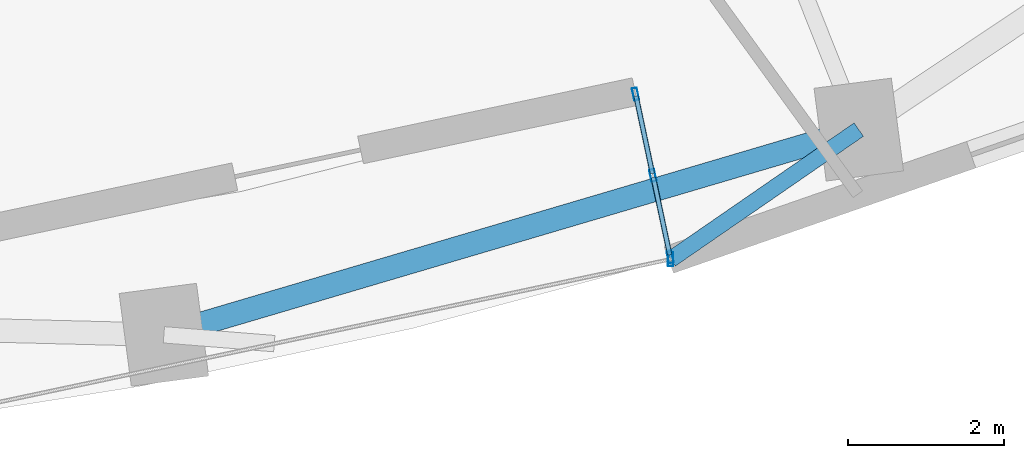
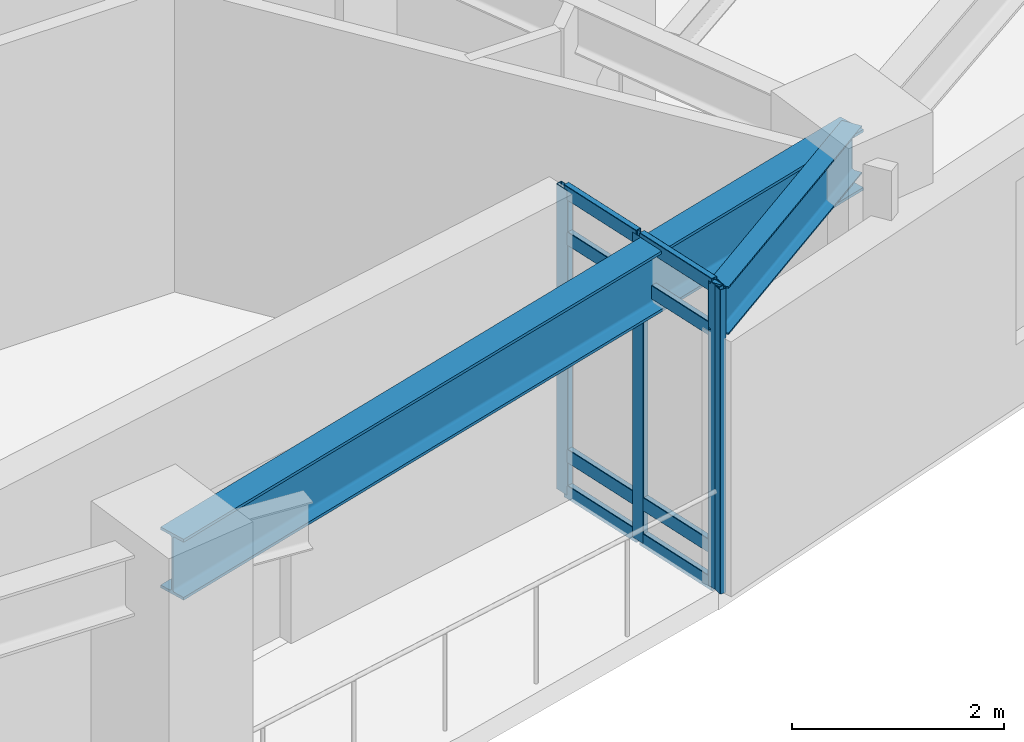
# One storey, part 3 of 12: 12 members, 2 beams, 1 element without a shape of its own.
"""IFC4 building model written with IfcOpenShell, lengths in metres."""

from ifc_helpers import new_model, si_unit, direction, frame, origin, origin_2d, place, context, subcontext, project, spatial, hollow_rectangle, i_section, extrude, material, layer, layer_set, material_profile, profile_set, type_object, element, aggregate, save


model = new_model("IFC4")

# Units and contexts
model_context = context("Model", 3, precision=1e-05, world=origin(), true_north=direction((0.0, 1.0)))
body_context = subcontext(model_context, "Body", "Model", "MODEL_VIEW")
ifc_project = project(units=[si_unit("LENGTHUNIT", "METRE"), si_unit("AREAUNIT", "SQUARE_METRE"), si_unit("VOLUMEUNIT", "CUBIC_METRE"), si_unit("PLANEANGLEUNIT", "RADIAN"), si_unit("MASSUNIT", "GRAM", prefix="KILO")], contexts=[model_context])

# Site, building, storey
site_placement = place(None, origin())
site = spatial("IfcSite", under=ifc_project, at=site_placement, CompositionType="ELEMENT")
building_placement = place(site_placement, origin())
building = spatial("IfcBuilding", under=site, at=building_placement, Name="Ndelora Gate Hotel", CompositionType="ELEMENT")
storey_placement = place(building_placement, frame((0.0, 0.0, 71.75)))
storey = spatial("IfcBuildingStorey", under=building, at=storey_placement, Name="L17", CompositionType="ELEMENT", Elevation=71.75)

# Beams
ifc_material_1 = material(Name="Steel S355", Category="steel")
ifc_material_profile_1 = material_profile(ifc_material_1, i_section(OverallWidth=0.2099609375, OverallDepth=0.550048828125, WebThickness=0.010986328125, FlangeThickness=0.01708984375, FilletRadius=0.02392578125, at=origin_2d()), Name="IPE 550")
ifc_profile_set_1 = profile_set([ifc_material_profile_1], Name="Steel S355")
beam_type_1 = type_object("IfcBeamType", Name="BM-RAD-550", PredefinedType="BEAM", material=ifc_profile_set_1)
beam_1_placement = place(storey_placement, frame((11.179443359375, -14.5693359375, 3.22509765625), z_axis=(-0.823102697332, -0.567892551144, 0.0), x_axis=(0.567892551144, -0.823102697332, 0.0)))
element("IfcBeam", 1, at=beam_1_placement, inside=storey, type_object=beam_type_1, Name="L17 Sky-Garden Loggia Column Bracket 3", PredefinedType="BEAM", context=body_context, shape_type="SweptSolid", body=[
    extrude(i_section(OverallWidth=0.2099609375, OverallDepth=0.550048828125, WebThickness=0.010986328125, FlangeThickness=0.01708984375, FilletRadius=0.02392578125, at=origin_2d()), origin(), (0.0, 0.0, 1.0), 2.93115234375),
])
ifc_material_profile_2 = material_profile(ifc_material_1, i_section(OverallWidth=0.300048828125, OverallDepth=0.699951171875, WebThickness=0.01708984375, FlangeThickness=0.031982421875, FilletRadius=0.027099609375, at=origin_2d()), Name="HEB 700")
ifc_profile_set_2 = profile_set([ifc_material_profile_2], Name="Steel S355")
beam_type_2 = type_object("IfcBeamType", Name="BM-RING-700", PredefinedType="SPANDREL", material=ifc_profile_set_2)
beam_2_placement = place(storey_placement, frame((2.2646484375, -17.20166015625, 3.14990234375), z_axis=(0.959064248316, 0.283188572514, 0.0), x_axis=(-0.283188572514, 0.959064248316, 0.0)))
element("IfcBeam", 2, at=beam_2_placement, inside=storey, type_object=beam_type_2, Name="L17 Perimeter Spandrel Girder 7", PredefinedType="SPANDREL", context=body_context, shape_type="SweptSolid", body=[
    extrude(i_section(OverallWidth=0.300048828125, OverallDepth=0.699951171875, WebThickness=0.01708984375, FlangeThickness=0.031982421875, FilletRadius=0.027099609375, at=origin_2d()), origin(), (0.0, 0.0, 1.0), 9.29541015625),
])

# Curtain wall, members
ifc_material_2 = material(Name="Bronze Anodised Unitised Aluminium and Low-E Glass", Category="aluminium")
ifc_layer = layer(ifc_material_2, 0.199951171875)
ifc_layer_set = layer_set([ifc_layer], Name="Bronze Anodised Unitised Aluminium and Low-E Glass")
curtain_wall_type = type_object("IfcCurtainWallType", Name="CW-SYS-3", PredefinedType="NOTDEFINED", material=ifc_layer_set)
curtain_wall_placement = place(storey_placement, origin())
curtain_wall = element("IfcCurtainWall", 3, at=curtain_wall_placement, inside=storey, type_object=curtain_wall_type, Name="L17 Sky-Garden Loggia Side Curtain Wall CW3-2", PredefinedType="NOTDEFINED")
ifc_material_3 = material(Name="Bronze Anodised Aluminium 6063-T6", Category="aluminium")
ifc_material_profile_3 = material_profile(ifc_material_3, hollow_rectangle(XDim=0.06494140625, YDim=0.159912109375, WallThickness=0.00390625, InnerFilletRadius=0.00390625, OuterFilletRadius=0.008056640625, at=origin_2d()), Name="ALU 160x65x4")
ifc_profile_set_3 = profile_set([ifc_material_profile_3], Name="Bronze Anodised Aluminium 6063-T6")
member_type_1 = type_object("IfcMemberType", Name="MB-CW-MUL150", PredefinedType="MULLION", material=ifc_profile_set_3)
member_1_placement = place(storey_placement, frame((8.760009765625, -16.201904296875, -0.00390625), z_axis=(0.0, 0.0, 1.0), x_axis=(-0.978147643724, -0.207911488567, 0.0)))
member_1 = element("IfcMember", 4, at=member_1_placement, type_object=member_type_1, Name="CW3 mullion 1", PredefinedType="MULLION", context=body_context, shape_type="SweptSolid", body=[
    extrude(hollow_rectangle(XDim=0.06494140625, YDim=0.159912109375, WallThickness=0.00390625, InnerFilletRadius=0.00390625, OuterFilletRadius=0.008056640625, at=origin_2d()), origin(), (0.0, 0.0, 1.0), 3.5078125),
])
member_2_placement = place(storey_placement, frame((8.5380859375, -15.157958984375, -0.00390625), z_axis=(0.0, 0.0, 1.0), x_axis=(-0.978147643724, -0.207911488567, 0.0)))
member_2 = element("IfcMember", 5, at=member_2_placement, type_object=member_type_1, Name="CW3 mullion 2", PredefinedType="MULLION", context=body_context, shape_type="SweptSolid", body=[
    extrude(hollow_rectangle(XDim=0.06494140625, YDim=0.159912109375, WallThickness=0.00390625, InnerFilletRadius=0.00390625, OuterFilletRadius=0.008056640625, at=origin_2d()), origin(), (0.0, 0.0, 1.0), 3.5078125),
])
member_3_placement = place(storey_placement, frame((8.316162109375, -14.11376953125, -0.00390625), z_axis=(0.0, 0.0, 1.0), x_axis=(-0.978147643724, -0.207911488567, 0.0)))
member_3 = element("IfcMember", 6, at=member_3_placement, type_object=member_type_1, Name="CW3 mullion 3", PredefinedType="MULLION", context=body_context, shape_type="SweptSolid", body=[
    extrude(hollow_rectangle(XDim=0.06494140625, YDim=0.159912109375, WallThickness=0.00390625, InnerFilletRadius=0.00390625, OuterFilletRadius=0.008056640625, at=origin_2d()), origin(), (0.0, 0.0, 1.0), 3.5078125),
])
ifc_material_profile_4 = material_profile(ifc_material_3, hollow_rectangle(XDim=0.070068359375, YDim=0.179931640625, WallThickness=0.0048828125, InnerFilletRadius=0.0048828125, OuterFilletRadius=0.010009765625, at=origin_2d()), Name="ALU 180x70x5")
ifc_profile_set_4 = profile_set([ifc_material_profile_4], Name="Bronze Anodised Aluminium 6063-T6")
member_type_2 = type_object("IfcMemberType", Name="MB-CW-MUL180", PredefinedType="MULLION", material=ifc_profile_set_4)
member_4_placement = place(storey_placement, frame((8.766845703125, -16.23388671875, 0.0), z_axis=(0.0, 0.0, 1.0), x_axis=(1.0, 0.0, 0.0)))
member_4 = element("IfcMember", 7, at=member_4_placement, type_object=member_type_2, Name="L17 Sky-Garden Loggia Corner Mullion Post 2", PredefinedType="MULLION", context=body_context, shape_type="SweptSolid", body=[
    extrude(hollow_rectangle(XDim=0.070068359375, YDim=0.179931640625, WallThickness=0.0048828125, InnerFilletRadius=0.0048828125, OuterFilletRadius=0.010009765625, at=origin_2d()), origin(), (0.0, 0.0, 1.0), 3.5),
])
ifc_material_profile_5 = material_profile(ifc_material_3, hollow_rectangle(XDim=0.06494140625, YDim=0.159912109375, WallThickness=0.00390625, InnerFilletRadius=0.00390625, OuterFilletRadius=0.008056640625, at=origin_2d()), Name="ALU 160x65x4")
ifc_profile_set_5 = profile_set([ifc_material_profile_5], Name="Bronze Anodised Aluminium 6063-T6")
member_type_3 = type_object("IfcMemberType", Name="MB-CW-TRN150", PredefinedType="USERDEFINED", material=ifc_profile_set_5)
member_5_placement = place(storey_placement, frame((8.754638671875, -16.176025390625, 0.032470703125), z_axis=(-0.207950868925, 0.97813927235, 0.0), x_axis=(-0.97813927235, -0.207950868925, 0.0)))
member_5 = element("IfcMember", 8, at=member_5_placement, type_object=member_type_3, Name="CW3 transom 1.1", ObjectType="TRANSOM", PredefinedType="USERDEFINED", context=body_context, shape_type="SweptSolid", body=[
    extrude(hollow_rectangle(XDim=0.06494140625, YDim=0.159912109375, WallThickness=0.00390625, InnerFilletRadius=0.00390625, OuterFilletRadius=0.008056640625, at=origin_2d()), origin(), (0.0, 0.0, 1.0), 1.014404296875),
])
member_6_placement = place(storey_placement, frame((8.754638671875, -16.176025390625, 0.449951171875), z_axis=(-0.207950868925, 0.97813927235, 0.0), x_axis=(-0.97813927235, -0.207950868925, 0.0)))
member_6 = element("IfcMember", 9, at=member_6_placement, type_object=member_type_3, Name="CW3 transom 1.2", ObjectType="TRANSOM", PredefinedType="USERDEFINED", context=body_context, shape_type="SweptSolid", body=[
    extrude(hollow_rectangle(XDim=0.06494140625, YDim=0.159912109375, WallThickness=0.00390625, InnerFilletRadius=0.00390625, OuterFilletRadius=0.008056640625, at=origin_2d()), origin(), (0.0, 0.0, 1.0), 1.014404296875),
])
member_7_placement = place(storey_placement, frame((8.754638671875, -16.176025390625, 2.949951171875), z_axis=(-0.207950868925, 0.97813927235, 0.0), x_axis=(-0.97813927235, -0.207950868925, 0.0)))
member_7 = element("IfcMember", 10, at=member_7_placement, type_object=member_type_3, Name="CW3 transom 1.3", ObjectType="TRANSOM", PredefinedType="USERDEFINED", context=body_context, shape_type="SweptSolid", body=[
    extrude(hollow_rectangle(XDim=0.06494140625, YDim=0.159912109375, WallThickness=0.00390625, InnerFilletRadius=0.00390625, OuterFilletRadius=0.008056640625, at=origin_2d()), origin(), (0.0, 0.0, 1.0), 1.014404296875),
])
member_8_placement = place(storey_placement, frame((8.754638671875, -16.176025390625, 3.467529296875), z_axis=(-0.207950868925, 0.97813927235, 0.0), x_axis=(-0.97813927235, -0.207950868925, 0.0)))
member_8 = element("IfcMember", 11, at=member_8_placement, type_object=member_type_3, Name="CW3 transom 1.4", ObjectType="TRANSOM", PredefinedType="USERDEFINED", context=body_context, shape_type="SweptSolid", body=[
    extrude(hollow_rectangle(XDim=0.06494140625, YDim=0.159912109375, WallThickness=0.00390625, InnerFilletRadius=0.00390625, OuterFilletRadius=0.008056640625, at=origin_2d()), origin(), (0.0, 0.0, 1.0), 1.014404296875),
])
member_9_placement = place(storey_placement, frame((8.532470703125, -15.1318359375, 0.032470703125), z_axis=(-0.207720575794, 0.978188203973, 0.0), x_axis=(-0.978188203973, -0.207720575794, 0.0)))
member_9 = element("IfcMember", 12, at=member_9_placement, type_object=member_type_3, Name="CW3 transom 2.1", ObjectType="TRANSOM", PredefinedType="USERDEFINED", context=body_context, shape_type="SweptSolid", body=[
    extrude(hollow_rectangle(XDim=0.06494140625, YDim=0.159912109375, WallThickness=0.00390625, InnerFilletRadius=0.00390625, OuterFilletRadius=0.008056640625, at=origin_2d()), origin(), (0.0, 0.0, 1.0), 1.014404296875),
])
member_10_placement = place(storey_placement, frame((8.532470703125, -15.1318359375, 0.449951171875), z_axis=(-0.207720575794, 0.978188203973, 0.0), x_axis=(-0.978188203973, -0.207720575794, 0.0)))
member_10 = element("IfcMember", 13, at=member_10_placement, type_object=member_type_3, Name="CW3 transom 2.2", ObjectType="TRANSOM", PredefinedType="USERDEFINED", context=body_context, shape_type="SweptSolid", body=[
    extrude(hollow_rectangle(XDim=0.06494140625, YDim=0.159912109375, WallThickness=0.00390625, InnerFilletRadius=0.00390625, OuterFilletRadius=0.008056640625, at=origin_2d()), origin(), (0.0, 0.0, 1.0), 1.014404296875),
])
member_11_placement = place(storey_placement, frame((8.532470703125, -15.1318359375, 2.949951171875), z_axis=(-0.207720575794, 0.978188203973, 0.0), x_axis=(-0.978188203973, -0.207720575794, 0.0)))
member_11 = element("IfcMember", 14, at=member_11_placement, type_object=member_type_3, Name="CW3 transom 2.3", ObjectType="TRANSOM", PredefinedType="USERDEFINED", context=body_context, shape_type="SweptSolid", body=[
    extrude(hollow_rectangle(XDim=0.06494140625, YDim=0.159912109375, WallThickness=0.00390625, InnerFilletRadius=0.00390625, OuterFilletRadius=0.008056640625, at=origin_2d()), origin(), (0.0, 0.0, 1.0), 1.014404296875),
])
member_12_placement = place(storey_placement, frame((8.532470703125, -15.1318359375, 3.467529296875), z_axis=(-0.207720575794, 0.978188203973, 0.0), x_axis=(-0.978188203973, -0.207720575794, 0.0)))
member_12 = element("IfcMember", 15, at=member_12_placement, type_object=member_type_3, Name="CW3 transom 2.4", ObjectType="TRANSOM", PredefinedType="USERDEFINED", context=body_context, shape_type="SweptSolid", body=[
    extrude(hollow_rectangle(XDim=0.06494140625, YDim=0.159912109375, WallThickness=0.00390625, InnerFilletRadius=0.00390625, OuterFilletRadius=0.008056640625, at=origin_2d()), origin(), (0.0, 0.0, 1.0), 1.014404296875),
])
aggregate(curtain_wall, [member_1, member_2, member_3, member_5, member_6, member_7, member_8, member_9, member_10, member_11, member_12, member_4])

save(model, "model.ifc")
